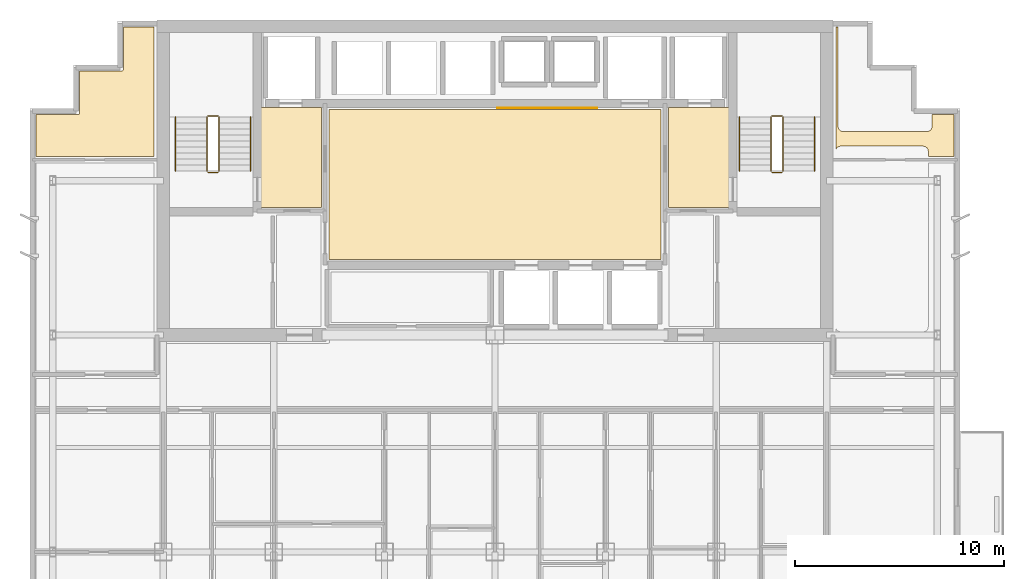
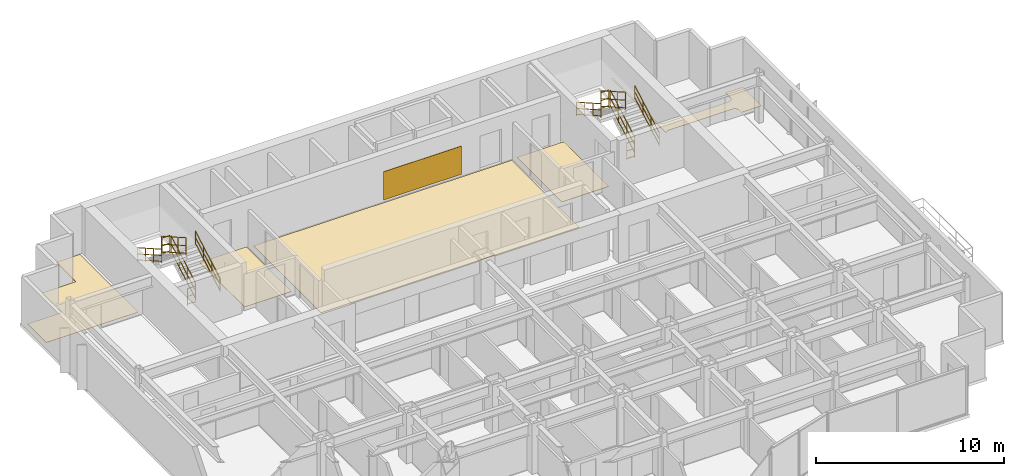
# One storey, part 11 of 11: 12 railings, 6 coverings.
"""IFC4 building model written with IfcOpenShell, lengths in metres."""

import ifcopenshell
import ifcopenshell.guid

model = None  # the IFC model being written
_history = None  # IfcOwnerHistory: only IFC2X3 demands one
_inside = {}  # id of a spatial element -> (the spatial element, [elements in it])
_under = {}  # id of a project, library or spatial element -> (it, [spatial elements below it])
_declared = {}  # id of a project -> (the project, [libraries it declares])
_typed = {}  # id of a type object -> (the type object, [elements of that type])
_made_of = {}  # id of a material, layer set ... -> (it, [elements and type objects made of it])


def new_model(schema):
    """Start an empty IFC model of exactly this schema.

    Asked for "IFC4X3", IfcOpenShell would pick the latest addendum, in which some entities
    have other attributes; the version numbers below select the first issue.
    IFC2X3 requires an IfcOwnerHistory on every rooted entity: one is made here for all.
    """
    global model, _history
    if schema == "IFC4X3":
        model = ifcopenshell.file(schema_version=(4, 3, 0, 0))
    else:
        model = ifcopenshell.file(schema=schema)
    _inside.clear()
    _under.clear()
    _declared.clear()
    _typed.clear()
    _made_of.clear()
    _history = None
    if model.schema == "IFC2X3":
        org = make("IfcOrganization", Name="unknown")
        user = make(
            "IfcPersonAndOrganization",
            ThePerson=make("IfcPerson", FamilyName="unknown"),
            TheOrganization=org,
        )
        app = make(
            "IfcApplication",
            ApplicationDeveloper=org,
            Version="unknown",
            ApplicationFullName="unknown",
            ApplicationIdentifier="unknown",
        )
        _history = make(
            "IfcOwnerHistory",
            OwningUser=user,
            OwningApplication=app,
            ChangeAction="ADDED",
            CreationDate=0,
        )
    return model


def make(cls, **values):
    """One entity of the class cls with the attributes given. An attribute that is None is left unset."""
    return model.create_entity(
        cls, **{name: value for name, value in values.items() if value is not None}
    )


def rooted(cls, **values):
    """An entity with a GlobalId (a new one), such as an element, a storey or a relation."""
    return make(cls, GlobalId=ifcopenshell.guid.new(), OwnerHistory=_history, **values)


def si_unit(unit_type, name, prefix=None):
    """IfcSIUnit, for example si_unit("LENGTHUNIT", "METRE", prefix="MILLI")."""
    return make("IfcSIUnit", UnitType=unit_type, Prefix=prefix, Name=name)


def assignment(units):
    """IfcUnitAssignment: the units of a project."""
    return None if units is None else make("IfcUnitAssignment", Units=units)


def point(xyz):
    """IfcCartesianPoint."""
    return None if xyz is None else make("IfcCartesianPoint", Coordinates=xyz)


def direction(xyz):
    """IfcDirection."""
    return None if xyz is None else make("IfcDirection", DirectionRatios=xyz)


def frame(location, z_axis=None, x_axis=None):
    """IfcAxis2Placement3D, a coordinate frame: its origin and axes. An axis left out is left unset."""
    return make(
        "IfcAxis2Placement3D",
        Location=point(location),
        Axis=direction(z_axis),
        RefDirection=direction(x_axis),
    )


def frame_2d(location, x_axis=None):
    """IfcAxis2Placement2D, a coordinate frame in the plane: its origin and x axis."""
    return make(
        "IfcAxis2Placement2D", Location=point(location), RefDirection=direction(x_axis)
    )


def origin():
    """The frame at (0, 0, 0) with its axes left unset."""
    return frame((0.0, 0.0, 0.0))


def origin_2d():
    """The frame at (0, 0) in the plane with its x axis left unset."""
    return frame_2d((0.0, 0.0))


def place(relative_to, where):
    """IfcLocalPlacement: puts the frame where relative to a parent placement (None: the world)."""
    return make(
        "IfcLocalPlacement", PlacementRelTo=relative_to, RelativePlacement=where
    )


def context(
    kind, dimensions, precision=None, world=None, true_north=None, identifier=None
):
    """IfcGeometricRepresentationContext, for example the 3D "Model" context."""
    return make(
        "IfcGeometricRepresentationContext",
        ContextIdentifier=identifier,
        ContextType=kind,
        CoordinateSpaceDimension=dimensions,
        Precision=precision,
        WorldCoordinateSystem=world,
        TrueNorth=true_north,
    )


def subcontext(parent, identifier, kind, view, scale=None):
    """IfcGeometricRepresentationSubContext, for example "Body" below "Model"."""
    return make(
        "IfcGeometricRepresentationSubContext",
        ContextIdentifier=identifier,
        ContextType=kind,
        ParentContext=parent,
        TargetScale=scale,
        TargetView=view,
    )


def project(units=None, contexts=None):
    """IfcProject with its units and contexts."""
    return rooted(
        "IfcProject",
        Name="project",
        RepresentationContexts=contexts,
        UnitsInContext=assignment(units),
    )


def spatial(cls, under=None, at=None, **own):
    """A site, building, storey or space (cls), placed at a placement, below another one or the project."""
    s = rooted(cls, ObjectPlacement=at, **own)
    if under is not None:
        _under.setdefault(under.id(), (under, []))[1].append(s)
    return s


def polyline(points):
    """IfcPolyline through the points."""
    return make("IfcPolyline", Points=[point(p) for p in points])


def profile(cls, at=None, kind="AREA", **sizes):
    """A parametric profile (cls). Its sizes go by their IFC names, for example OverallWidth=200.0."""
    return make(cls, ProfileType=kind, Position=at, **sizes)


def circle(**sizes):
    """IfcCircleProfileDef."""
    return profile("IfcCircleProfileDef", **sizes)


def outline(outer, holes=None, kind="AREA"):
    """IfcArbitraryClosedProfileDef: a profile drawn as a closed curve; with holes, ...WithVoids."""
    if holes is None:
        return make("IfcArbitraryClosedProfileDef", ProfileType=kind, OuterCurve=outer)
    return make(
        "IfcArbitraryProfileDefWithVoids",
        ProfileType=kind,
        OuterCurve=outer,
        InnerCurves=holes,
    )


def extrude(swept, where, along, depth):
    """IfcExtrudedAreaSolid: the profile swept, set in the frame where, extruded along a direction by depth."""
    return make(
        "IfcExtrudedAreaSolid",
        SweptArea=swept,
        Position=where,
        ExtrudedDirection=direction(along),
        Depth=depth,
    )


def shape(context_of_items, identifier, shape_type, items):
    """IfcShapeRepresentation: the items that make up one representation, for example the "Body"."""
    return make(
        "IfcShapeRepresentation",
        ContextOfItems=context_of_items,
        RepresentationIdentifier=identifier,
        RepresentationType=shape_type,
        Items=items,
    )


def material(Name=None, Category=None):
    """IfcMaterial."""
    return make("IfcMaterial", Name=Name, Category=Category)


def layer(
    of_material, thickness, ventilated=None, Name=None, Category=None, Priority=None
):
    """IfcMaterialLayer: one layer of a wall or slab, of a material (None: an air gap)."""
    return make(
        "IfcMaterialLayer",
        Material=of_material,
        LayerThickness=thickness,
        IsVentilated=ventilated,
        Name=Name,
        Category=Category,
        Priority=Priority,
    )


def layer_set(layers, Name=None):
    """IfcMaterialLayerSet."""
    return make("IfcMaterialLayerSet", MaterialLayers=layers, LayerSetName=Name)


def made_of(thing, what):
    """Note that an element or type object is made of a material, layer set ...; save() writes the relation."""
    if what is not None:
        _made_of.setdefault(what.id(), (what, []))[1].append(thing)
    return thing


def type_object(cls, material=None, **own):
    """A type object (cls), such as IfcWallType, which elements share."""
    return made_of(rooted(cls, **own), material)


def element(
    cls,
    number,
    at=None,
    inside=None,
    cuts=None,
    type_object=None,
    material=None,
    context=None,
    identifier="Body",
    shape_type=None,
    held_by="IfcProductDefinitionShape",
    body=None,
    shapes=None,
    **own,
):
    """One element of the class cls, such as IfcWall. Its Tag is "e" and its number.

    at: its placement. inside: the storey or other place that contains it. cuts: it is an
    opening in that element (IfcRelVoidsElement). A single representation is given by context,
    identifier, shape_type and body (its items); several are given by shapes. held_by: the class
    of the entity that holds the representations. save() writes the other relations.
    """
    e = rooted(cls, Tag="e%d" % number, ObjectPlacement=at, **own)
    if body is not None:
        shapes = [shape(context, identifier, shape_type, body)]
    if shapes is not None:
        e.Representation = make(held_by, Representations=shapes)
    if inside is not None:
        _inside.setdefault(inside.id(), (inside, []))[1].append(e)
    if cuts is not None:
        rooted(
            "IfcRelVoidsElement", RelatingBuildingElement=cuts, RelatedOpeningElement=e
        )
    if type_object is not None:
        _typed.setdefault(type_object.id(), (type_object, []))[1].append(e)
    return made_of(e, material)


def aggregate(whole, parts):
    """IfcRelAggregates: a whole, such as a stair, and the parts it consists of."""
    return rooted("IfcRelAggregates", RelatingObject=whole, RelatedObjects=parts)


def save(model, path):
    """Write the relations noted so far, then the file.

    IfcRelAggregates (storeys below a building ...), IfcRelContainedInSpatialStructure (elements
    in a storey), IfcRelDefinesByType, IfcRelAssociatesMaterial and IfcRelDeclares: one each for
    every whole, place, type object, material and project.
    """
    for whole, parts in _under.values():
        aggregate(whole, parts)
    for where, things in _inside.values():
        rooted(
            "IfcRelContainedInSpatialStructure",
            RelatedElements=things,
            RelatingStructure=where,
        )
    for kind, things in _typed.values():
        rooted("IfcRelDefinesByType", RelatedObjects=things, RelatingType=kind)
    for what, things in _made_of.values():
        rooted("IfcRelAssociatesMaterial", RelatedObjects=things, RelatingMaterial=what)
    for by, libraries in _declared.values():
        rooted("IfcRelDeclares", RelatingContext=by, RelatedDefinitions=libraries)
    model.write(path)


model = new_model("IFC4")

# Units and contexts
model_context = context("Model", 3, precision=1e-05, world=origin(), true_north=direction((0.0, 1.0)))
body_context = subcontext(model_context, "Body", "Model", "MODEL_VIEW")
ifc_project = project(units=[si_unit("LENGTHUNIT", "METRE"), si_unit("AREAUNIT", "SQUARE_METRE"), si_unit("VOLUMEUNIT", "CUBIC_METRE"), si_unit("PLANEANGLEUNIT", "RADIAN"), si_unit("MASSUNIT", "GRAM", prefix="KILO")], contexts=[model_context])

# Site, building, storey
site_placement = place(None, origin())
site = spatial("IfcSite", under=ifc_project, at=site_placement, CompositionType="ELEMENT")
building_placement = place(site_placement, origin())
building = spatial("IfcBuilding", under=site, at=building_placement, Name="Qianlan Lanfeng Residences", CompositionType="ELEMENT")
storey_placement = place(building_placement, frame((0.0, 0.0, 168.89990234375)))
storey = spatial("IfcBuildingStorey", under=building, at=storey_placement, Name="L46", CompositionType="ELEMENT", Elevation=168.89990234375)

# Coverings
ifc_material_1 = material(Name="Anodised Bronze Feature Wall Cladding")
ifc_layer_1 = layer(ifc_material_1, 0.02490234375)
ifc_layer_set_1 = layer_set([ifc_layer_1], Name="Anodised Bronze Feature Wall Cladding")
covering_type_1 = type_object("IfcCoveringType", Name="CLD-BRZ-25", PredefinedType="CLADDING", material=ifc_layer_set_1)
covering_1_placement = place(storey_placement, frame((0.0, 0.0, 0.150146484375)))
element("IfcCovering", 1, at=covering_1_placement, inside=storey, type_object=covering_type_1, Name="L46 Lift Lobby Bronze Feature Cladding", PredefinedType="CLADDING", context=body_context, shape_type="SweptSolid", body=[
    extrude(outline(polyline([(26.60009765625, 36.074951171875), (31.39990234375, 36.074951171875), (31.39990234375, 36.10009765625), (26.60009765625, 36.10009765625), (26.60009765625, 36.074951171875)])), origin(), (0.0, 0.0, 1.0), 1.829833984375),
])
ifc_material_2 = material(Name="Honed Taitung Granite Stone Flooring", Category="masonry")
ifc_layer_2 = layer(ifc_material_2, 0.030029296875)
ifc_layer_set_2 = layer_set([ifc_layer_2], Name="Honed Taitung Granite Stone Flooring")
covering_type_2 = type_object("IfcCoveringType", Name="FLR-STN-30", PredefinedType="FLOORING", material=ifc_layer_set_2)
covering_2_placement = place(storey_placement, origin())
element("IfcCovering", 2, at=covering_2_placement, inside=storey, type_object=covering_type_2, Name="L46 Firefighting Lift Lobby Floor Finish", PredefinedType="FLOORING", context=body_context, shape_type="SweptSolid", body=[
    extrude(outline(polyline([(15.2900390625, 31.320068359375), (18.179931640625, 31.320068359375), (18.179931640625, 36.110107421875), (15.2900390625, 36.110107421875), (15.2900390625, 31.320068359375)])), origin(), (0.0, 0.0, 1.0), 0.030029296875),
])
covering_3_placement = place(storey_placement, origin())
element("IfcCovering", 3, at=covering_3_placement, inside=storey, type_object=covering_type_2, Name="L46 Firefighting Lift Lobby Floor Finish", PredefinedType="FLOORING", context=body_context, shape_type="SweptSolid", body=[
    extrude(outline(polyline([(34.820068359375, 31.320068359375), (37.7099609375, 31.320068359375), (37.7099609375, 36.110107421875), (34.820068359375, 36.110107421875), (34.820068359375, 31.320068359375)])), origin(), (0.0, 0.0, 1.0), 0.030029296875),
])
covering_4_placement = place(storey_placement, origin())
element("IfcCovering", 4, at=covering_4_placement, inside=storey, type_object=covering_type_2, Name="L46 Lift Lobby Floor Finish", PredefinedType="FLOORING", context=body_context, shape_type="SweptSolid", body=[
    extrude(outline(polyline([(18.550048828125, 28.820068359375), (34.449951171875, 28.820068359375), (34.449951171875, 36.010009765625), (18.550048828125, 36.010009765625), (18.550048828125, 28.820068359375)])), origin(), (0.0, 0.0, 1.0), 0.030029296875),
])
ifc_material_3 = material(Name="Engineered Smoked Oak Timber Flooring", Category="wood")
ifc_layer_3 = layer(ifc_material_3, 0.02197265625)
ifc_layer_set_3 = layer_set([ifc_layer_3], Name="Engineered Smoked Oak Timber Flooring")
covering_type_3 = type_object("IfcCoveringType", Name="FLR-TIM-22", PredefinedType="FLOORING", material=ifc_layer_set_3)
covering_5_placement = place(storey_placement, origin())
element("IfcCovering", 5, at=covering_5_placement, inside=storey, type_object=covering_type_3, Name="L46 Resident Lounge Floor Finish", PredefinedType="FLOORING", context=body_context, shape_type="SweptSolid", body=[
    extrude(outline(polyline([(4.489990234375, 33.75), (10.14990234375, 33.75), (10.14990234375, 39.9599609375), (8.68994140625, 39.9599609375), (8.68994140625, 37.929931640625), (8.68994140625, 37.923095703125), (8.68896484375, 37.916015625), (8.68701171875, 37.909912109375), (8.68505859375, 37.903076171875), (8.681884765625, 37.89697265625), (8.677978515625, 37.89111328125), (8.674072265625, 37.885986328125), (8.6689453125, 37.881103515625), (8.6640625, 37.8759765625), (8.658935546875, 37.8720703125), (8.653076171875, 37.867919921875), (8.64697265625, 37.864990234375), (8.639892578125, 37.863037109375), (8.634033203125, 37.861083984375), (8.626953125, 37.860107421875), (8.6201171875, 37.860107421875), (6.590087890625, 37.860107421875), (6.590087890625, 35.830078125), (6.590087890625, 35.822998046875), (6.589111328125, 35.81591796875), (6.5869140625, 35.81005859375), (6.5849609375, 35.802978515625), (6.58203125, 35.797119140625), (6.577880859375, 35.791015625), (6.573974609375, 35.785888671875), (6.569091796875, 35.781005859375), (6.56396484375, 35.77587890625), (6.55908203125, 35.77197265625), (6.552978515625, 35.76806640625), (6.547119140625, 35.764892578125), (6.5400390625, 35.762939453125), (6.533935546875, 35.760986328125), (6.527099609375, 35.760009765625), (6.52001953125, 35.760009765625), (4.489990234375, 35.760009765625), (4.489990234375, 33.75)])), origin(), (0.0, 0.0, 1.0), 0.022216796875),
])
covering_6_placement = place(storey_placement, origin())
element("IfcCovering", 6, at=covering_6_placement, inside=storey, type_object=covering_type_3, Name="L46 Resident Lounge Floor Finish", PredefinedType="FLOORING", context=body_context, shape_type="SweptSolid", body=[
    extrude(outline(polyline([(42.85009765625, 34.097900390625), (42.860107421875, 34.117919921875), (42.8720703125, 34.138916015625), (42.886962890625, 34.158935546875), (42.903076171875, 34.177001953125), (42.9208984375, 34.193115234375), (42.94091796875, 34.2080078125), (42.9619140625, 34.219970703125), (42.98388671875, 34.23095703125), (43.007080078125, 34.239013671875), (43.031005859375, 34.2451171875), (43.054931640625, 34.2490234375), (43.080078125, 34.25), (47.02001953125, 34.25), (47.044921875, 34.2490234375), (47.069091796875, 34.2451171875), (47.093017578125, 34.239013671875), (47.115966796875, 34.23095703125), (47.137939453125, 34.219970703125), (47.158935546875, 34.2080078125), (47.178955078125, 34.193115234375), (47.197021484375, 34.177001953125), (47.212890625, 34.158935546875), (47.22802734375, 34.138916015625), (47.239990234375, 34.117919921875), (47.2509765625, 34.095947265625), (47.259033203125, 34.072998046875), (47.264892578125, 34.049072265625), (47.26904296875, 34.02490234375), (47.27001953125, 34.0), (47.27001953125, 33.75), (48.510009765625, 33.75), (48.510009765625, 35.760009765625), (47.449951171875, 35.760009765625), (47.449951171875, 35.199951171875), (47.448974609375, 35.175048828125), (47.445068359375, 35.15087890625), (47.43896484375, 35.126953125), (47.430908203125, 35.10400390625), (47.419921875, 35.08203125), (47.407958984375, 35.06103515625), (47.39306640625, 35.041015625), (47.376953125, 35.02294921875), (47.35888671875, 35.007080078125), (47.339111328125, 34.991943359375), (47.318115234375, 34.97998046875), (47.2958984375, 34.968994140625), (47.27294921875, 34.9609375), (47.2490234375, 34.955078125), (47.22509765625, 34.950927734375), (47.199951171875, 34.949951171875), (43.199951171875, 34.949951171875), (43.175048828125, 34.950927734375), (43.15087890625, 34.955078125), (43.126953125, 34.9609375), (43.10400390625, 34.968994140625), (43.08203125, 34.97998046875), (43.06103515625, 34.991943359375), (43.041015625, 35.007080078125), (43.02294921875, 35.02294921875), (43.007080078125, 35.041015625), (42.991943359375, 35.06103515625), (42.97998046875, 35.08203125), (42.968994140625, 35.10400390625), (42.9609375, 35.126953125), (42.955078125, 35.15087890625), (42.950927734375, 35.175048828125), (42.949951171875, 35.199951171875), (42.949951171875, 39.9599609375), (42.85009765625, 39.9599609375), (42.85009765625, 34.097900390625)])), origin(), (0.0, 0.0, 1.0), 0.022216796875),
])

# Railings
ifc_material_4 = material(Name="Painted Galvanised Steel Guardrail", Category="steel")
railing_type_1 = type_object("IfcRailingType", Name="GR-ST-1120", PredefinedType="GUARDRAIL", material=ifc_material_4)
railing_1_placement = place(storey_placement, frame((13.27001953125, 33.050048828125, 0.1650390625)))
element("IfcRailing", 7, at=railing_1_placement, inside=storey, type_object=railing_type_1, Name="L46 ST-1 stair guard 1", PredefinedType="GUARDRAIL", context=body_context, shape_type="SweptSolid", body=[
    extrude(circle(Radius=0.02392578125, at=origin_2d()), frame((0.0, 0.0, 0.083984375), z_axis=(0.0, 0.869137319866, 0.494570843475), x_axis=(-1.0, 0.0, 0.0)), (0.0, 0.0, 1.0), 3.0029296875),
    extrude(circle(Radius=0.02392578125, at=origin_2d()), frame((0.0, 0.0, 0.58251953125), z_axis=(0.0, 0.869137319866, 0.494570843475), x_axis=(-1.0, 0.0, 0.0)), (0.0, 0.0, 1.0), 3.0029296875),
    extrude(circle(Radius=0.02392578125, at=origin_2d()), frame((0.0, 0.0, 1.09619140625), z_axis=(0.0, 0.869137319866, 0.494570843475), x_axis=(-1.0, 0.0, 0.0)), (0.0, 0.0, 1.0), 3.0029296875),
    extrude(circle(Radius=0.02099609375, at=origin_2d()), origin(), (0.0, 0.0, 1.0), 1.072021484375),
    extrude(circle(Radius=0.02099609375, at=origin_2d()), frame((0.0, 0.869873046875, 0.4951171875)), (0.0, 0.0, 1.0), 1.072021484375),
    extrude(circle(Radius=0.02099609375, at=origin_2d()), frame((0.0, 1.739990234375, 0.989990234375)), (0.0, 0.0, 1.0), 1.072021484375),
    extrude(circle(Radius=0.02099609375, at=origin_2d()), frame((0.0, 2.60986328125, 1.485107421875)), (0.0, 0.0, 1.0), 1.072021484375),
])
railing_2_placement = place(storey_placement, frame((13.219970703125, 35.7099609375, 1.650146484375)))
element("IfcRailing", 8, at=railing_2_placement, inside=storey, type_object=railing_type_1, Name="L46 ST-1 stair guard 2", PredefinedType="GUARDRAIL", context=body_context, shape_type="SweptSolid", body=[
    extrude(circle(Radius=0.02392578125, at=origin_2d()), frame((0.0, 0.0, 0.083984375), z_axis=(-1.0, 0.0, 0.0), x_axis=(0.0, -1.0, 0.0)), (0.0, 0.0, 1.0), 0.47998046875),
    extrude(circle(Radius=0.02392578125, at=origin_2d()), frame((0.0, 0.0, 0.58251953125), z_axis=(-1.0, 0.0, 0.0), x_axis=(0.0, -1.0, 0.0)), (0.0, 0.0, 1.0), 0.47998046875),
    extrude(circle(Radius=0.02392578125, at=origin_2d()), frame((0.0, 0.0, 1.09619140625), z_axis=(-1.0, 0.0, 0.0), x_axis=(0.0, -1.0, 0.0)), (0.0, 0.0, 1.0), 0.47998046875),
    extrude(circle(Radius=0.02099609375, at=origin_2d()), origin(), (0.0, 0.0, 1.0), 1.072021484375),
    extrude(circle(Radius=0.02099609375, at=origin_2d()), frame((-0.47998046875, 0.0, 0.0)), (0.0, 0.0, 1.0), 1.072021484375),
])
railing_3_placement = place(storey_placement, frame((12.68994140625, 35.659912109375, 1.815185546875)))
element("IfcRailing", 9, at=railing_3_placement, inside=storey, type_object=railing_type_1, Name="L46 ST-1 stair guard 3", PredefinedType="GUARDRAIL", context=body_context, shape_type="SweptSolid", body=[
    extrude(circle(Radius=0.02392578125, at=origin_2d()), frame((0.0, 0.0, 0.083984375), z_axis=(0.0, -0.869172267526, 0.494509422927), x_axis=(1.0, 0.0, 0.0)), (0.0, 0.0, 1.0), 3.002685546875),
    extrude(circle(Radius=0.02392578125, at=origin_2d()), frame((0.0, 0.0, 0.58251953125), z_axis=(0.0, -0.869172267526, 0.494509422927), x_axis=(1.0, 0.0, 0.0)), (0.0, 0.0, 1.0), 3.002685546875),
    extrude(circle(Radius=0.02392578125, at=origin_2d()), frame((0.0, 0.0, 1.09619140625), z_axis=(0.0, -0.869172267526, 0.494509422927), x_axis=(1.0, 0.0, 0.0)), (0.0, 0.0, 1.0), 3.002685546875),
    extrude(circle(Radius=0.02099609375, at=origin_2d()), origin(), (0.0, 0.0, 1.0), 1.072021484375),
    extrude(circle(Radius=0.02099609375, at=origin_2d()), frame((0.0, -0.869873046875, 0.494873046875)), (0.0, 0.0, 1.0), 1.072021484375),
    extrude(circle(Radius=0.02099609375, at=origin_2d()), frame((0.0, -1.739990234375, 0.989990234375)), (0.0, 0.0, 1.0), 1.072021484375),
    extrude(circle(Radius=0.02099609375, at=origin_2d()), frame((0.0, -2.60986328125, 1.48486328125)), (0.0, 0.0, 1.0), 1.072021484375),
])
railing_4_placement = place(storey_placement, frame((13.219970703125, 33.0, 0.0)))
element("IfcRailing", 10, at=railing_4_placement, inside=storey, type_object=railing_type_1, Name="L46 ST-1 stair guard 4", PredefinedType="GUARDRAIL", context=body_context, shape_type="SweptSolid", body=[
    extrude(circle(Radius=0.02392578125, at=origin_2d()), frame((0.0, 0.0, 0.083984375), z_axis=(-1.0, 0.0, 0.0), x_axis=(0.0, -1.0, 0.0)), (0.0, 0.0, 1.0), 0.47998046875),
    extrude(circle(Radius=0.02392578125, at=origin_2d()), frame((0.0, 0.0, 0.58251953125), z_axis=(-1.0, 0.0, 0.0), x_axis=(0.0, -1.0, 0.0)), (0.0, 0.0, 1.0), 0.47998046875),
    extrude(circle(Radius=0.02392578125, at=origin_2d()), frame((0.0, 0.0, 1.09619140625), z_axis=(-1.0, 0.0, 0.0), x_axis=(0.0, -1.0, 0.0)), (0.0, 0.0, 1.0), 0.47998046875),
    extrude(circle(Radius=0.02099609375, at=origin_2d()), origin(), (0.0, 0.0, 1.0), 1.072021484375),
    extrude(circle(Radius=0.02099609375, at=origin_2d()), frame((-0.47998046875, 0.0, 0.0)), (0.0, 0.0, 1.0), 1.072021484375),
])
railing_5_placement = place(storey_placement, frame((40.31005859375, 33.050048828125, 0.1650390625)))
element("IfcRailing", 11, at=railing_5_placement, inside=storey, type_object=railing_type_1, Name="L46 ST-2 stair guard 1", PredefinedType="GUARDRAIL", context=body_context, shape_type="SweptSolid", body=[
    extrude(circle(Radius=0.02392578125, at=origin_2d()), frame((0.0, 0.0, 0.083984375), z_axis=(0.0, 0.869137319866, 0.494570843475), x_axis=(-1.0, 0.0, 0.0)), (0.0, 0.0, 1.0), 3.0029296875),
    extrude(circle(Radius=0.02392578125, at=origin_2d()), frame((0.0, 0.0, 0.58251953125), z_axis=(0.0, 0.869137319866, 0.494570843475), x_axis=(-1.0, 0.0, 0.0)), (0.0, 0.0, 1.0), 3.0029296875),
    extrude(circle(Radius=0.02392578125, at=origin_2d()), frame((0.0, 0.0, 1.09619140625), z_axis=(0.0, 0.869137319866, 0.494570843475), x_axis=(-1.0, 0.0, 0.0)), (0.0, 0.0, 1.0), 3.0029296875),
    extrude(circle(Radius=0.02099609375, at=origin_2d()), origin(), (0.0, 0.0, 1.0), 1.072021484375),
    extrude(circle(Radius=0.02099609375, at=origin_2d()), frame((0.0, 0.869873046875, 0.4951171875)), (0.0, 0.0, 1.0), 1.072021484375),
    extrude(circle(Radius=0.02099609375, at=origin_2d()), frame((0.0, 1.739990234375, 0.989990234375)), (0.0, 0.0, 1.0), 1.072021484375),
    extrude(circle(Radius=0.02099609375, at=origin_2d()), frame((0.0, 2.60986328125, 1.485107421875)), (0.0, 0.0, 1.0), 1.072021484375),
])
railing_6_placement = place(storey_placement, frame((40.260009765625, 35.7099609375, 1.650146484375)))
element("IfcRailing", 12, at=railing_6_placement, inside=storey, type_object=railing_type_1, Name="L46 ST-2 stair guard 2", PredefinedType="GUARDRAIL", context=body_context, shape_type="SweptSolid", body=[
    extrude(circle(Radius=0.02392578125, at=origin_2d()), frame((0.0, 0.0, 0.083984375), z_axis=(-1.0, 0.0, 0.0), x_axis=(0.0, -1.0, 0.0)), (0.0, 0.0, 1.0), 0.47998046875),
    extrude(circle(Radius=0.02392578125, at=origin_2d()), frame((0.0, 0.0, 0.58251953125), z_axis=(-1.0, 0.0, 0.0), x_axis=(0.0, -1.0, 0.0)), (0.0, 0.0, 1.0), 0.47998046875),
    extrude(circle(Radius=0.02392578125, at=origin_2d()), frame((0.0, 0.0, 1.09619140625), z_axis=(-1.0, 0.0, 0.0), x_axis=(0.0, -1.0, 0.0)), (0.0, 0.0, 1.0), 0.47998046875),
    extrude(circle(Radius=0.02099609375, at=origin_2d()), origin(), (0.0, 0.0, 1.0), 1.072021484375),
    extrude(circle(Radius=0.02099609375, at=origin_2d()), frame((-0.47998046875, 0.0, 0.0)), (0.0, 0.0, 1.0), 1.072021484375),
])
railing_7_placement = place(storey_placement, frame((39.72998046875, 35.659912109375, 1.815185546875)))
element("IfcRailing", 13, at=railing_7_placement, inside=storey, type_object=railing_type_1, Name="L46 ST-2 stair guard 3", PredefinedType="GUARDRAIL", context=body_context, shape_type="SweptSolid", body=[
    extrude(circle(Radius=0.02392578125, at=origin_2d()), frame((0.0, 0.0, 0.083984375), z_axis=(0.0, -0.869172267526, 0.494509422927), x_axis=(1.0, 0.0, 0.0)), (0.0, 0.0, 1.0), 3.002685546875),
    extrude(circle(Radius=0.02392578125, at=origin_2d()), frame((0.0, 0.0, 0.58251953125), z_axis=(0.0, -0.869172267526, 0.494509422927), x_axis=(1.0, 0.0, 0.0)), (0.0, 0.0, 1.0), 3.002685546875),
    extrude(circle(Radius=0.02392578125, at=origin_2d()), frame((0.0, 0.0, 1.09619140625), z_axis=(0.0, -0.869172267526, 0.494509422927), x_axis=(1.0, 0.0, 0.0)), (0.0, 0.0, 1.0), 3.002685546875),
    extrude(circle(Radius=0.02099609375, at=origin_2d()), origin(), (0.0, 0.0, 1.0), 1.072021484375),
    extrude(circle(Radius=0.02099609375, at=origin_2d()), frame((0.0, -0.869873046875, 0.494873046875)), (0.0, 0.0, 1.0), 1.072021484375),
    extrude(circle(Radius=0.02099609375, at=origin_2d()), frame((0.0, -1.739990234375, 0.989990234375)), (0.0, 0.0, 1.0), 1.072021484375),
    extrude(circle(Radius=0.02099609375, at=origin_2d()), frame((0.0, -2.60986328125, 1.48486328125)), (0.0, 0.0, 1.0), 1.072021484375),
])
railing_8_placement = place(storey_placement, frame((40.260009765625, 33.0, 0.0)))
element("IfcRailing", 14, at=railing_8_placement, inside=storey, type_object=railing_type_1, Name="L46 ST-2 stair guard 4", PredefinedType="GUARDRAIL", context=body_context, shape_type="SweptSolid", body=[
    extrude(circle(Radius=0.02392578125, at=origin_2d()), frame((0.0, 0.0, 0.083984375), z_axis=(-1.0, 0.0, 0.0), x_axis=(0.0, -1.0, 0.0)), (0.0, 0.0, 1.0), 0.47998046875),
    extrude(circle(Radius=0.02392578125, at=origin_2d()), frame((0.0, 0.0, 0.58251953125), z_axis=(-1.0, 0.0, 0.0), x_axis=(0.0, -1.0, 0.0)), (0.0, 0.0, 1.0), 0.47998046875),
    extrude(circle(Radius=0.02392578125, at=origin_2d()), frame((0.0, 0.0, 1.09619140625), z_axis=(-1.0, 0.0, 0.0), x_axis=(0.0, -1.0, 0.0)), (0.0, 0.0, 1.0), 0.47998046875),
    extrude(circle(Radius=0.02099609375, at=origin_2d()), origin(), (0.0, 0.0, 1.0), 1.072021484375),
    extrude(circle(Radius=0.02099609375, at=origin_2d()), frame((-0.47998046875, 0.0, 0.0)), (0.0, 0.0, 1.0), 1.072021484375),
])
ifc_material_5 = material(Name="Brushed Stainless Steel Handrail", Category="steel")
railing_type_2 = type_object("IfcRailingType", Name="HR-ST-920", PredefinedType="HANDRAIL", material=ifc_material_5)
railing_9_placement = place(storey_placement, frame((14.77001953125, 33.050048828125, 0.1650390625)))
element("IfcRailing", 15, at=railing_9_placement, inside=storey, type_object=railing_type_2, Name="L46 ST-1 stair handrail 1", PredefinedType="HANDRAIL", context=body_context, shape_type="SweptSolid", body=[
    extrude(circle(Radius=0.02392578125, at=origin_2d()), frame((0.0, 0.0, 0.083984375), z_axis=(0.0, 0.869137319866, 0.494570843475), x_axis=(-1.0, 0.0, 0.0)), (0.0, 0.0, 1.0), 3.0029296875),
    extrude(circle(Radius=0.02392578125, at=origin_2d()), frame((0.0, 0.0, 0.468017578125), z_axis=(0.0, 0.869137319866, 0.494570843475), x_axis=(-1.0, 0.0, 0.0)), (0.0, 0.0, 1.0), 3.0029296875),
    extrude(circle(Radius=0.02392578125, at=origin_2d()), frame((0.0, 0.0, 0.8759765625), z_axis=(0.0, 0.869137319866, 0.494570843475), x_axis=(-1.0, 0.0, 0.0)), (0.0, 0.0, 1.0), 3.0029296875),
    extrude(circle(Radius=0.02099609375, at=origin_2d()), origin(), (0.0, 0.0, 1.0), 0.851806640625),
    extrude(circle(Radius=0.02099609375, at=origin_2d()), frame((0.0, 0.869873046875, 0.4951171875)), (0.0, 0.0, 1.0), 0.851806640625),
    extrude(circle(Radius=0.02099609375, at=origin_2d()), frame((0.0, 1.739990234375, 0.989990234375)), (0.0, 0.0, 1.0), 0.851806640625),
    extrude(circle(Radius=0.02099609375, at=origin_2d()), frame((0.0, 2.60986328125, 1.485107421875)), (0.0, 0.0, 1.0), 0.851806640625),
])
railing_10_placement = place(storey_placement, frame((11.18994140625, 35.659912109375, 1.815185546875)))
element("IfcRailing", 16, at=railing_10_placement, inside=storey, type_object=railing_type_2, Name="L46 ST-1 stair handrail 2", PredefinedType="HANDRAIL", context=body_context, shape_type="SweptSolid", body=[
    extrude(circle(Radius=0.02392578125, at=origin_2d()), frame((0.0, 0.0, 0.083984375), z_axis=(0.0, -0.869172267526, 0.494509422927), x_axis=(1.0, 0.0, 0.0)), (0.0, 0.0, 1.0), 3.002685546875),
    extrude(circle(Radius=0.02392578125, at=origin_2d()), frame((0.0, 0.0, 0.468017578125), z_axis=(0.0, -0.869172267526, 0.494509422927), x_axis=(1.0, 0.0, 0.0)), (0.0, 0.0, 1.0), 3.002685546875),
    extrude(circle(Radius=0.02392578125, at=origin_2d()), frame((0.0, 0.0, 0.8759765625), z_axis=(0.0, -0.869172267526, 0.494509422927), x_axis=(1.0, 0.0, 0.0)), (0.0, 0.0, 1.0), 3.002685546875),
    extrude(circle(Radius=0.02099609375, at=origin_2d()), origin(), (0.0, 0.0, 1.0), 0.851806640625),
    extrude(circle(Radius=0.02099609375, at=origin_2d()), frame((0.0, -0.869873046875, 0.494873046875)), (0.0, 0.0, 1.0), 0.851806640625),
    extrude(circle(Radius=0.02099609375, at=origin_2d()), frame((0.0, -1.739990234375, 0.989990234375)), (0.0, 0.0, 1.0), 0.851806640625),
    extrude(circle(Radius=0.02099609375, at=origin_2d()), frame((0.0, -2.60986328125, 1.48486328125)), (0.0, 0.0, 1.0), 0.851806640625),
])
railing_11_placement = place(storey_placement, frame((41.81005859375, 33.050048828125, 0.1650390625)))
element("IfcRailing", 17, at=railing_11_placement, inside=storey, type_object=railing_type_2, Name="L46 ST-2 stair handrail 1", PredefinedType="HANDRAIL", context=body_context, shape_type="SweptSolid", body=[
    extrude(circle(Radius=0.02392578125, at=origin_2d()), frame((0.0, 0.0, 0.083984375), z_axis=(0.0, 0.869137319866, 0.494570843475), x_axis=(-1.0, 0.0, 0.0)), (0.0, 0.0, 1.0), 3.0029296875),
    extrude(circle(Radius=0.02392578125, at=origin_2d()), frame((0.0, 0.0, 0.468017578125), z_axis=(0.0, 0.869137319866, 0.494570843475), x_axis=(-1.0, 0.0, 0.0)), (0.0, 0.0, 1.0), 3.0029296875),
    extrude(circle(Radius=0.02392578125, at=origin_2d()), frame((0.0, 0.0, 0.8759765625), z_axis=(0.0, 0.869137319866, 0.494570843475), x_axis=(-1.0, 0.0, 0.0)), (0.0, 0.0, 1.0), 3.0029296875),
    extrude(circle(Radius=0.02099609375, at=origin_2d()), origin(), (0.0, 0.0, 1.0), 0.851806640625),
    extrude(circle(Radius=0.02099609375, at=origin_2d()), frame((0.0, 0.869873046875, 0.4951171875)), (0.0, 0.0, 1.0), 0.851806640625),
    extrude(circle(Radius=0.02099609375, at=origin_2d()), frame((0.0, 1.739990234375, 0.989990234375)), (0.0, 0.0, 1.0), 0.851806640625),
    extrude(circle(Radius=0.02099609375, at=origin_2d()), frame((0.0, 2.60986328125, 1.485107421875)), (0.0, 0.0, 1.0), 0.851806640625),
])
railing_12_placement = place(storey_placement, frame((38.22998046875, 35.659912109375, 1.815185546875)))
element("IfcRailing", 18, at=railing_12_placement, inside=storey, type_object=railing_type_2, Name="L46 ST-2 stair handrail 2", PredefinedType="HANDRAIL", context=body_context, shape_type="SweptSolid", body=[
    extrude(circle(Radius=0.02392578125, at=origin_2d()), frame((0.0, 0.0, 0.083984375), z_axis=(0.0, -0.869172267526, 0.494509422927), x_axis=(1.0, 0.0, 0.0)), (0.0, 0.0, 1.0), 3.002685546875),
    extrude(circle(Radius=0.02392578125, at=origin_2d()), frame((0.0, 0.0, 0.468017578125), z_axis=(0.0, -0.869172267526, 0.494509422927), x_axis=(1.0, 0.0, 0.0)), (0.0, 0.0, 1.0), 3.002685546875),
    extrude(circle(Radius=0.02392578125, at=origin_2d()), frame((0.0, 0.0, 0.8759765625), z_axis=(0.0, -0.869172267526, 0.494509422927), x_axis=(1.0, 0.0, 0.0)), (0.0, 0.0, 1.0), 3.002685546875),
    extrude(circle(Radius=0.02099609375, at=origin_2d()), origin(), (0.0, 0.0, 1.0), 0.851806640625),
    extrude(circle(Radius=0.02099609375, at=origin_2d()), frame((0.0, -0.869873046875, 0.494873046875)), (0.0, 0.0, 1.0), 0.851806640625),
    extrude(circle(Radius=0.02099609375, at=origin_2d()), frame((0.0, -1.739990234375, 0.989990234375)), (0.0, 0.0, 1.0), 0.851806640625),
    extrude(circle(Radius=0.02099609375, at=origin_2d()), frame((0.0, -2.60986328125, 1.48486328125)), (0.0, 0.0, 1.0), 0.851806640625),
])

save(model, "model.ifc")
